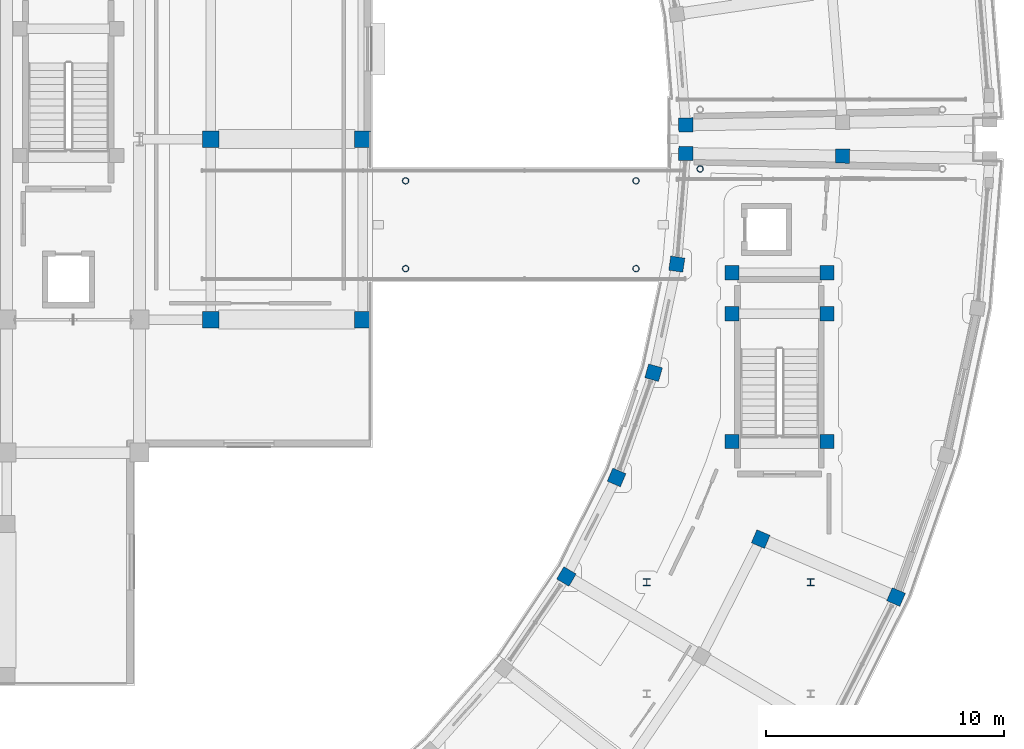
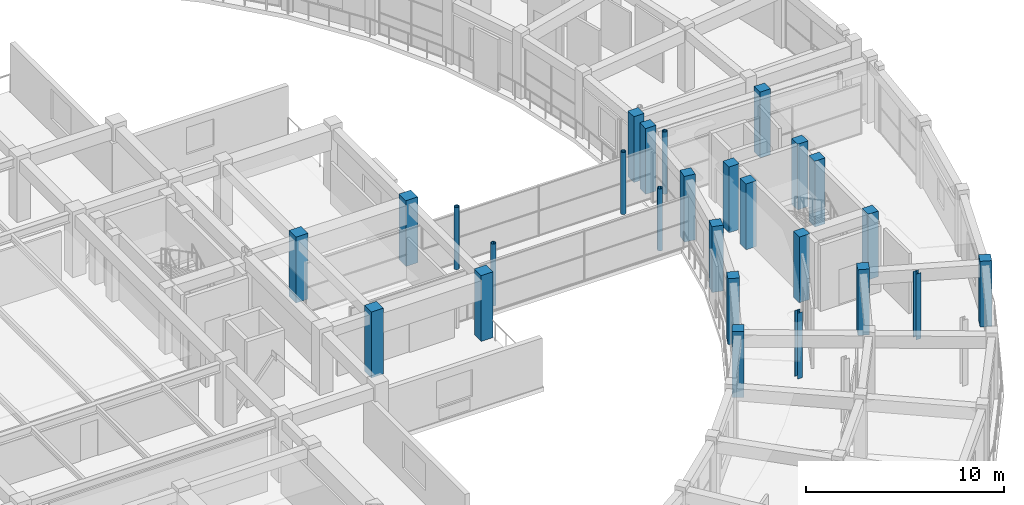
# One storey, part 6 of 70: 26 columns.
"""IFC4 building model written with IfcOpenShell, lengths in metres."""

from ifc_helpers import new_model, si_unit, direction, frame, origin, origin_2d, place, context, subcontext, project, spatial, rectangle, hollow_circle, i_section, extrude, material, material_profile, profile_set, type_object, element, save


model = new_model("IFC4")

# Units and contexts
model_context = context("Model", 3, precision=1e-05, world=origin(), true_north=direction((0.0, 1.0)))
body_context = subcontext(model_context, "Body", "Model", "MODEL_VIEW")
ifc_project = project(units=[si_unit("LENGTHUNIT", "METRE"), si_unit("AREAUNIT", "SQUARE_METRE"), si_unit("VOLUMEUNIT", "CUBIC_METRE"), si_unit("PLANEANGLEUNIT", "RADIAN"), si_unit("MASSUNIT", "GRAM", prefix="KILO")], contexts=[model_context])

# Site, building, storey
site_placement = place(None, origin())
site = spatial("IfcSite", under=ifc_project, at=site_placement, CompositionType="ELEMENT")
building_placement = place(site_placement, origin())
building = spatial("IfcBuilding", under=site, at=building_placement, Name="Saryqyr Civic Hall", CompositionType="ELEMENT")
storey_placement = place(building_placement, frame((0.0, 0.0, 13.199951171875)))
storey = spatial("IfcBuildingStorey", under=building, at=storey_placement, Name="L03", CompositionType="ELEMENT", Elevation=13.199951171875)

# Columns
ifc_material_1 = material(Name="Steel S355", Category="steel")
ifc_material_profile_1 = material_profile(ifc_material_1, hollow_circle(Radius=0.136474609375, WallThickness=0.01611328125, at=origin_2d()), Name="CHS 273x16")
ifc_profile_set_1 = profile_set([ifc_material_profile_1], Name="Steel S355")
column_type_1 = type_object("IfcColumnType", Name="STR-COL-CHS273-S355", PredefinedType="COLUMN", material=ifc_profile_set_1)
for number, where, z_axis, x_axis, name in (
    (1, (93.800048828125, 82.75, 0.0), (0.0, 0.0, 1.0), (1.0, 0.0, 0.0), "Column BRCOL-BR-E-1-L03"),
    (2, (81.39990234375, 78.550048828125, 0.0), (0.0, 0.0, 1.0), (1.0, 0.0, 0.0), "Column BRCOL-BR-CE-1-L03"),
    (3, (91.09765625, 78.550048828125, 0.0), (0.0, 0.0, 1.0), (1.0, 0.0, 0.0), "Column BRCOL-BR-CE-2-L03"),
    (4, (91.09765625, 82.25, 0.0), (0.0, 0.0, 1.0), (1.0, 0.0, 0.0), "Column BRCOL-BR-CE-3-L03"),
    (5, (81.39990234375, 82.25, 0.0), (0.0, 0.0, 1.0), (1.0, 0.0, 0.0), "Column BRCOL-BR-CE-4-L03"),
):
    element("IfcColumn", number, at=place(storey_placement, frame(where, z_axis=z_axis, x_axis=x_axis)), inside=storey, type_object=column_type_1, Name=name, PredefinedType="COLUMN", context=body_context, shape_type="SweptSolid", body=[
        extrude(hollow_circle(Radius=0.136474609375, WallThickness=0.01611328125, at=origin_2d()), origin(), (0.0, 0.0, 1.0), 3.820068359375),
    ])
ifc_material_profile_2 = material_profile(ifc_material_1, i_section(OverallWidth=0.300048828125, OverallDepth=0.2900390625, WebThickness=0.008544921875, FlangeThickness=0.013916015625, at=origin_2d()), Name="HEA 300")
ifc_profile_set_2 = profile_set([ifc_material_profile_2], Name="Steel S355")
column_type_2 = type_object("IfcColumnType", Name="STR-COL-HEA300-S355", PredefinedType="COLUMN", material=ifc_profile_set_2)
for number, where, z_axis, x_axis, name in (
    (6, (98.449951171875, 65.35009765625, 0.0), (0.0, 0.0, 1.0), (1.0, 0.0, 0.0), "Column RGV5-COL-3-L03"),
    (7, (91.550048828125, 65.35009765625, 0.0), (0.0, 0.0, 1.0), (1.0, 0.0, 0.0), "Column RGV5-COL-4-L03"),
):
    element("IfcColumn", number, at=place(storey_placement, frame(where, z_axis=z_axis, x_axis=x_axis)), inside=storey, type_object=column_type_2, Name=name, PredefinedType="COLUMN", context=body_context, shape_type="SweptSolid", body=[
        extrude(i_section(OverallWidth=0.300048828125, OverallDepth=0.2900390625, WebThickness=0.008544921875, FlangeThickness=0.013916015625, at=origin_2d()), origin(), (0.0, 0.0, 1.0), 4.050048828125),
    ])
ifc_material_2 = material(Name="Concrete C40/50", Category="concrete")
ifc_material_profile_3 = material_profile(ifc_material_2, rectangle(XDim=0.60009765625, YDim=0.60009765625, at=origin_2d()), Name="RC 600x600")
ifc_profile_set_3 = profile_set([ifc_material_profile_3], Name="Concrete C40/50")
column_type_3 = type_object("IfcColumnType", Name="STR-COL-RC600-C40", PredefinedType="COLUMN", material=ifc_profile_set_3)
for number, where, z_axis, x_axis, name in (
    (8, (88.16845703125, 65.589111328125, 0.0), (0.0, 0.0, 1.0), (0.861008442465, -0.508590662521, 0.0), "Column V5-COL-IN06-L03"),
    (9, (90.281494140625, 69.759521484375, 0.0), (0.0, 0.0, 1.0), (0.919410138581, -0.393300136124, 0.0), "Column V5-COL-IN07-L03"),
    (10, (96.349365234375, 67.163330078125, 0.0), (0.0, 0.0, 1.0), (0.919410138581, -0.393300136124, 0.0), "Column V5-COL-MID07-L03"),
    (11, (102.04931640625, 64.724365234375, 0.0), (0.0, 0.0, 1.0), (0.919410138581, -0.393300136124, 0.0), "Column V5-COL-OUT07-L03"),
    (12, (91.839111328125, 74.167724609375, 0.0), (0.0, 0.0, 1.0), (0.962407846499, -0.271608425858, 0.0), "Column V5-COL-IN08-L03"),
    (13, (92.81591796875, 78.739990234375, 0.0), (0.0, 0.0, 1.0), (0.989374077068, -0.145392350643, 0.0), "Column V5-COL-IN09-L03"),
    (14, (93.195068359375, 83.39990234375, 0.0), (0.0, 0.0, 1.0), (0.999862544538, -0.016579868188, 0.0), "Column V5-COL-IN10-L03"),
    (15, (99.794189453125, 83.290283203125, 0.0), (0.0, 0.0, 1.0), (0.999862544538, -0.016579868188, 0.0), "Column V5-COL-MID10-L03"),
    (16, (93.195068359375, 84.60009765625, 0.0), (0.0, 0.0, 1.0), (0.999862544538, 0.016579868188, 0.0), "Column V6-COL-IN00-L03"),
    (17, (99.139892578125, 71.27490234375, 0.0), (0.0, 0.0, 1.0), (1.0, 0.0, 0.0), "Column ST-5-SCOL-TRMA-L03"),
    (18, (95.139892578125, 71.27490234375, 0.0), (0.0, 0.0, 1.0), (1.0, 0.0, 0.0), "Column ST-5-SCOL-TRMB-L03"),
    (19, (99.139892578125, 76.64990234375, 0.0), (0.0, 0.0, 1.0), (1.0, 0.0, 0.0), "Column ST-5-SCOL-LND1A-L03"),
    (20, (95.139892578125, 76.64990234375, 0.0), (0.0, 0.0, 1.0), (1.0, 0.0, 0.0), "Column ST-5-SCOL-LND1B-L03"),
    (21, (99.139892578125, 78.3798828125, 0.0), (0.0, 0.0, 1.0), (1.0, 0.0, 0.0), "Column ST-5-SCOL-LND2A-L03"),
    (22, (95.139892578125, 78.3798828125, 0.0), (0.0, 0.0, 1.0), (1.0, 0.0, 0.0), "Column ST-5-SCOL-LND2B-L03"),
):
    element("IfcColumn", number, at=place(storey_placement, frame(where, z_axis=z_axis, x_axis=x_axis)), inside=storey, type_object=column_type_3, Name=name, PredefinedType="COLUMN", context=body_context, shape_type="SweptSolid", body=[
        extrude(rectangle(XDim=0.60009765625, YDim=0.60009765625, at=origin_2d()), origin(), (0.0, 0.0, 1.0), 4.050048828125),
    ])
ifc_material_profile_4 = material_profile(ifc_material_2, rectangle(XDim=0.699951171875, YDim=0.699951171875, at=origin_2d()), Name="RC 700x700")
ifc_profile_set_4 = profile_set([ifc_material_profile_4], Name="Concrete C40/50")
column_type_4 = type_object("IfcColumnType", Name="STR-COL-RC700-C40", PredefinedType="COLUMN", material=ifc_profile_set_4)
for number, where, z_axis, x_axis, name in (
    (23, (73.199951171875, 76.39990234375, 0.0), (0.0, 0.0, 1.0), (1.0, 0.0, 0.0), "Column V1-COL-S3P04-L03"),
    (24, (73.199951171875, 84.0, 0.0), (0.0, 0.0, 1.0), (1.0, 0.0, 0.0), "Column V1-COL-S3P05-L03"),
    (25, (79.60009765625, 76.39990234375, 0.0), (0.0, 0.0, 1.0), (1.0, 0.0, 0.0), "Column V1-COL-S1P04-L03"),
    (26, (79.60009765625, 84.0, 0.0), (0.0, 0.0, 1.0), (1.0, 0.0, 0.0), "Column V1-COL-S1P05-L03"),
):
    element("IfcColumn", number, at=place(storey_placement, frame(where, z_axis=z_axis, x_axis=x_axis)), inside=storey, type_object=column_type_4, Name=name, PredefinedType="COLUMN", context=body_context, shape_type="SweptSolid", body=[
        extrude(rectangle(XDim=0.699951171875, YDim=0.699951171875, at=origin_2d()), origin(), (0.0, 0.0, 1.0), 4.050048828125),
    ])

save(model, "model.ifc")
